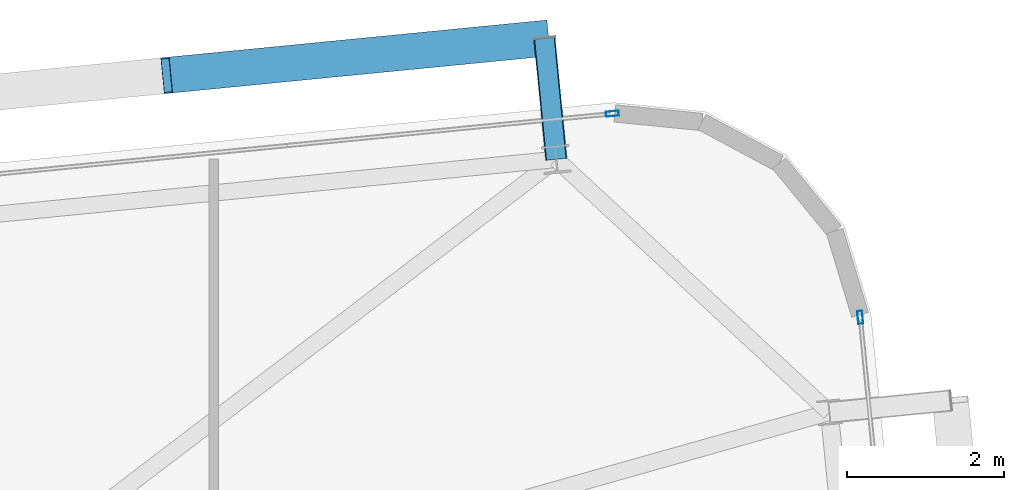
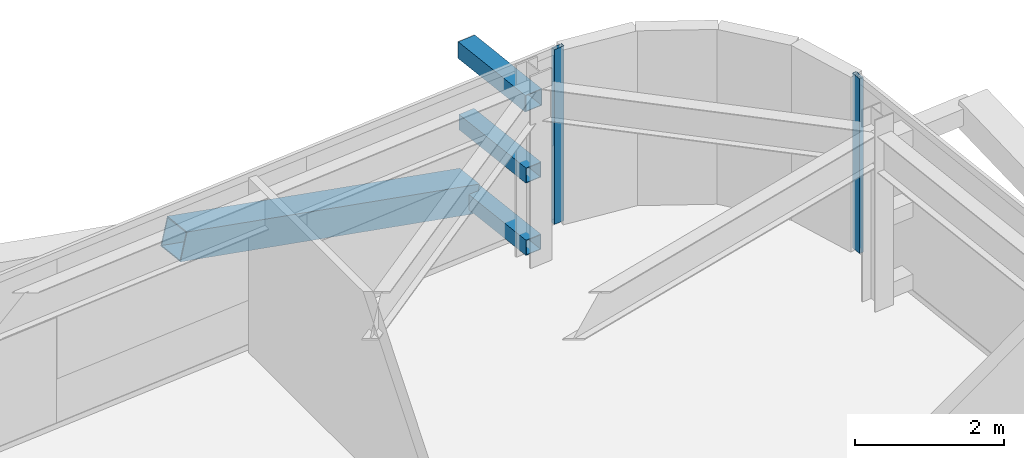
# One storey, part 31 of 47: 6 members, 2 elements without a shape of their own.
"""IFC4 building model written with IfcOpenShell, lengths in metres."""

from ifc_helpers import new_model, si_unit, direction, frame, origin, origin_2d, place, context, subcontext, project, spatial, hollow_rectangle, extrude, source, transform, mapped, material, layer, layer_set, material_profile, profile_set, type_object, element, aggregate, save


model = new_model("IFC4")

# Units and contexts
model_context = context("Model", 3, precision=1e-05, world=origin(), true_north=direction((0.0, 1.0)))
body_context = subcontext(model_context, "Body", "Model", "MODEL_VIEW")
ifc_project = project(units=[si_unit("LENGTHUNIT", "METRE"), si_unit("AREAUNIT", "SQUARE_METRE"), si_unit("VOLUMEUNIT", "CUBIC_METRE"), si_unit("PLANEANGLEUNIT", "RADIAN"), si_unit("MASSUNIT", "GRAM", prefix="KILO")], contexts=[model_context])

# Site, building, storey
site_placement = place(None, origin())
site = spatial("IfcSite", under=ifc_project, at=site_placement, CompositionType="ELEMENT")
building_placement = place(site_placement, origin())
building = spatial("IfcBuilding", under=site, at=building_placement, Name="Taldren Reach Tower", CompositionType="ELEMENT")
storey_placement = place(building_placement, frame((0.0, 0.0, 109.199951171875)))
storey = spatial("IfcBuildingStorey", under=building, at=storey_placement, Name="L33", CompositionType="ELEMENT", Elevation=109.199951171875)

# Members
ifc_material_1 = material(Name="Steel Gr 450 (C450L0)", Category="steel")
ifc_material_profile_1 = material_profile(ifc_material_1, hollow_rectangle(XDim=0.27490234375, YDim=0.27490234375, WallThickness=0.00927734375, at=origin_2d()), Name="275x275x9.3SHS")
ifc_profile_set_1 = profile_set([ifc_material_profile_1], Name="Steel Gr 450 (C450L0)")
member_type_1 = type_object("IfcMemberType", Name="MB-TIE273", PredefinedType="STRUT", material=ifc_profile_set_1)
shared_shape_1 = source(origin(), body_context, "Body", "SweptSolid", [
    extrude(hollow_rectangle(XDim=0.27490234375, YDim=0.27490234375, WallThickness=0.00927734375, at=origin_2d()), origin(), (0.0, 0.0, 1.0), 1.5498046875),
])
member_1_placement = place(storey_placement, frame((59.765869140625, 38.679931640625, 2.590087890625), z_axis=(-0.097663201064, 0.995219523099, 0.0), x_axis=(-0.995219523099, -0.097663201064, 0.0)))
element("IfcMember", 1, at=member_1_placement, inside=storey, type_object=member_type_1, Name="Exoskeleton diaphragm tie strut B2-N6 L33", PredefinedType="STRUT", context=body_context, shape_type="MappedRepresentation", body=[
    mapped(shared_shape_1, transform((0.0, 0.0, 0.0), scale=1.0)),
])
ifc_material_2 = material(Name="Steel Gr 350 (C350L0)", Category="steel")
ifc_material_profile_2 = material_profile(ifc_material_2, hollow_rectangle(XDim=0.25, YDim=0.25, WallThickness=0.010009765625, at=origin_2d()), Name="250x250x10.0SHS")
ifc_profile_set_2 = profile_set([ifc_material_profile_2], Name="Steel Gr 350 (C350L0)")
member_type_2 = type_object("IfcMemberType", Name="MB-POST250", PredefinedType="POST", material=ifc_profile_set_2)
shared_shape_2 = source(origin(), body_context, "Body", "SweptSolid", [
    extrude(hollow_rectangle(XDim=0.25, YDim=0.25, WallThickness=0.010009765625, at=origin_2d()), origin(), (0.0, 0.0, 1.0), 1.5498046875),
])
for number, where, z_axis, x_axis, name in (
    (2, (59.765869140625, 38.679931640625, 0.219970703125), (-0.097663201064, 0.995219523099, 0.0), (-0.995219523099, -0.097663201064, 0.0), "Exoskeleton base diaphragm tie strut B2-N6 L33"),
    (3, (59.765869140625, 38.679931640625, 1.405029296875), (-0.097663201064, 0.995219523099, 0.0), (-0.995219523099, -0.097663201064, 0.0), "Exoskeleton mid-tier diaphragm tie B2-N6 L33"),
):
    element("IfcMember", number, at=place(storey_placement, frame(where, z_axis=z_axis, x_axis=x_axis)), inside=storey, type_object=member_type_2, Name=name, PredefinedType="POST", context=body_context, shape_type="MappedRepresentation", body=[
        mapped(shared_shape_2, transform((0.0, 0.0, 0.0), scale=1.0)),
    ])
ifc_material_profile_3 = material_profile(ifc_material_1, hollow_rectangle(XDim=0.4599609375, YDim=0.4599609375, WallThickness=0.01611328125, at=origin_2d()), Name="460x460x16.0SHS")
ifc_profile_set_3 = profile_set([ifc_material_profile_3], Name="Steel Gr 450 (C450L0)")
member_type_3 = type_object("IfcMemberType", Name="MB-EXO457", PredefinedType="BRACE", material=ifc_profile_set_3)
shared_shape_3 = source(origin(), body_context, "Body", "SweptSolid", [
    extrude(hollow_rectangle(XDim=0.4599609375, YDim=0.4599609375, WallThickness=0.01611328125, at=origin_2d()), origin(), (0.0, 0.0, 1.0), 4.98291015625),
])
member_2_placement = place(storey_placement, frame((59.614501953125, 40.222412109375, 0.219970703125), z_axis=(-0.966675489194, -0.094756735738, 0.23782274833), x_axis=(0.097555749586, -0.995230061706, 0.0)))
element("IfcMember", 4, at=member_2_placement, inside=storey, type_object=member_type_3, Name="Exoskeleton Diagrid Brace B2-N5 L33", PredefinedType="BRACE", context=body_context, shape_type="MappedRepresentation", body=[
    mapped(shared_shape_3, transform((0.0, 0.0, 0.0), scale=1.0)),
])

# Curtain wall, member
ifc_material_3 = material(Name="Aluminium and Low-E Glass Unitised System", Category="aluminium")
ifc_layer = layer(ifc_material_3, 0.159912109375)
ifc_layer_set = layer_set([ifc_layer], Name="Aluminium and Low-E Glass Unitised System")
curtain_wall_type = type_object("IfcCurtainWallType", Name="CW-SYS-3", PredefinedType="NOTDEFINED", material=ifc_layer_set)
curtain_wall_1_placement = place(storey_placement, origin())
curtain_wall_1 = element("IfcCurtainWall", 5, at=curtain_wall_1_placement, inside=storey, type_object=curtain_wall_type, Name="Unitised curtain wall CW-L33-N", PredefinedType="NOTDEFINED")
ifc_material_4 = material(Name="Anodised Aluminium 6063-T6", Category="aluminium")
ifc_material_profile_4 = material_profile(ifc_material_4, hollow_rectangle(XDim=0.06494140625, YDim=0.1650390625, WallThickness=0.00390625, at=origin_2d()), Name="ALU-165x65x4RHS")
ifc_profile_set_4 = profile_set([ifc_material_profile_4], Name="Anodised Aluminium 6063-T6")
member_type_4 = type_object("IfcMemberType", Name="CW-MUL-165", PredefinedType="MULLION", material=ifc_profile_set_4)
shared_shape_4 = source(origin(), body_context, "Body", "SweptSolid", [
    extrude(hollow_rectangle(XDim=0.06494140625, YDim=0.1650390625, WallThickness=0.00390625, at=origin_2d()), origin(), (0.0, 0.0, 1.0), 2.8701171875),
])
member_3_placement = place(storey_placement, frame((60.47998046875, 39.262451171875, 0.0), z_axis=(0.0, 0.0, 1.0), x_axis=(0.097582999046, -0.995227390247, 0.0)))
member_3 = element("IfcMember", 6, at=member_3_placement, type_object=member_type_4, Name="CW-3 mullion 1", PredefinedType="MULLION", context=body_context, shape_type="MappedRepresentation", body=[
    mapped(shared_shape_4, transform((0.0, 0.0, 0.0), scale=1.0)),
])
aggregate(curtain_wall_1, [member_3])

curtain_wall_2_placement = place(storey_placement, origin())
curtain_wall_2 = element("IfcCurtainWall", 7, at=curtain_wall_2_placement, inside=storey, type_object=curtain_wall_type, Name="Unitised curtain wall CW-L33-E", PredefinedType="NOTDEFINED")
member_4_placement = place(storey_placement, frame((63.640869140625, 36.666015625, 0.0), z_axis=(0.0, 0.0, 1.0), x_axis=(-0.99522741555, -0.09758274098, 0.0)))
member_4 = element("IfcMember", 8, at=member_4_placement, type_object=member_type_4, Name="CW-3 mullion 4", PredefinedType="MULLION", context=body_context, shape_type="MappedRepresentation", body=[
    mapped(shared_shape_4, transform((0.0, 0.0, 0.0), scale=1.0)),
])
aggregate(curtain_wall_2, [member_4])

save(model, "model.ifc")
